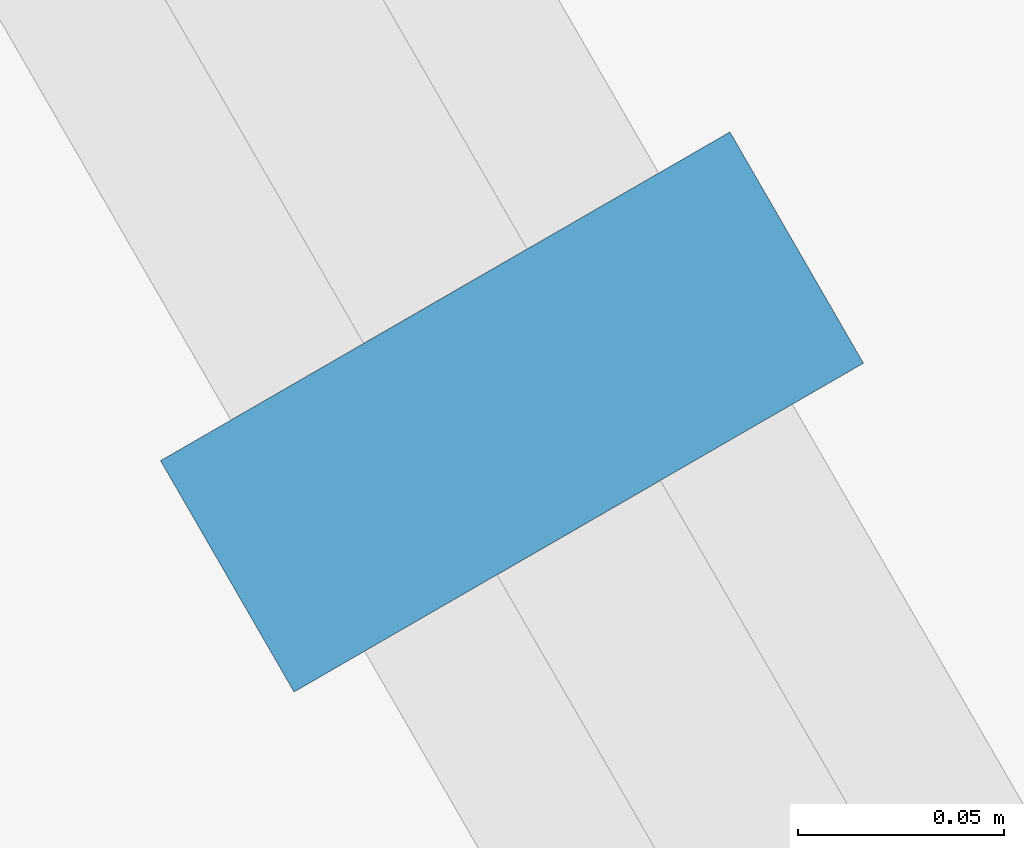
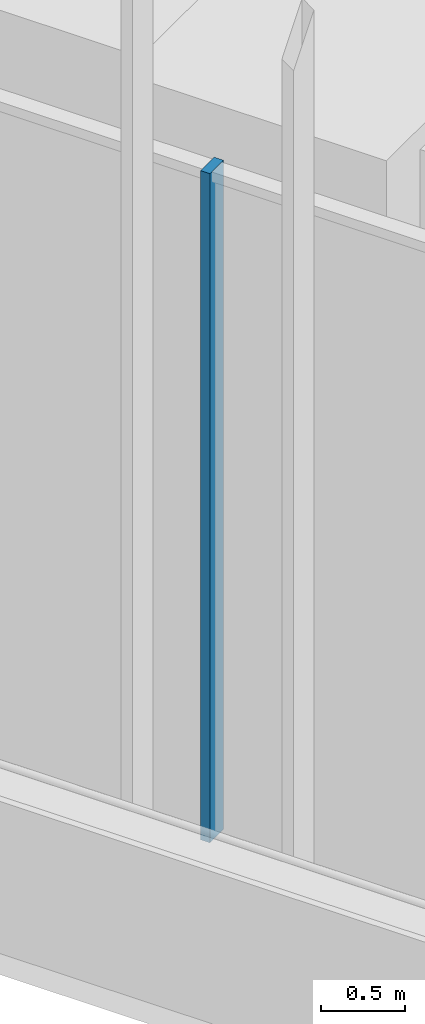
# One storey, part 48 of 228: 1 member, 1 element without a shape of its own.
"""IFC4 building model written with IfcOpenShell, lengths in metres."""

from ifc_helpers import new_model, si_unit, direction, frame, origin, origin_2d, place, context, subcontext, project, spatial, rectangle, extrude, material, material_profile, profile_set, type_object, element, aggregate, save


model = new_model("IFC4")

# Units and contexts
model_context = context("Model", 3, precision=1e-05, world=origin(), true_north=direction((0.0, 1.0)))
body_context = subcontext(model_context, "Body", "Model", "MODEL_VIEW")
ifc_project = project(units=[si_unit("LENGTHUNIT", "METRE"), si_unit("AREAUNIT", "SQUARE_METRE"), si_unit("VOLUMEUNIT", "CUBIC_METRE"), si_unit("PLANEANGLEUNIT", "RADIAN"), si_unit("MASSUNIT", "GRAM", prefix="KILO")], contexts=[model_context])

# Site, building, storey
site_placement = place(None, origin())
site = spatial("IfcSite", under=ifc_project, at=site_placement, CompositionType="ELEMENT")
building_placement = place(site_placement, origin())
building = spatial("IfcBuilding", under=site, at=building_placement, Name="Sandreach Pilgrim Tower", CompositionType="ELEMENT")
storey_placement = place(building_placement, frame((0.0, 0.0, 178.199951171875)))
storey = spatial("IfcBuildingStorey", under=building, at=storey_placement, Name="L44", CompositionType="ELEMENT", Elevation=178.199951171875)

# Curtain wall, member
ifc_material_1 = material(Name="Aluminium framed curtain wall", Category="aluminium")
curtain_wall_type = type_object("IfcCurtainWallType", Name="Upper hotel tower curtain wall", PredefinedType="NOTDEFINED", material=ifc_material_1)
curtain_wall_placement = place(storey_placement, origin())
curtain_wall = element("IfcCurtainWall", 1, at=curtain_wall_placement, inside=storey, type_object=curtain_wall_type, Name="CW-3 L44 SW", PredefinedType="NOTDEFINED")
ifc_material_2 = material(Name="Aluminium extrusion", Category="aluminium")
ifc_material_profile = material_profile(ifc_material_2, rectangle(XDim=0.06494140625, YDim=0.159912109375, at=origin_2d()), Name="CW-3M 65X160")
ifc_profile_set = profile_set([ifc_material_profile], Name="Aluminium extrusion")
member_type = type_object("IfcMemberType", Name="CW-3 mullion", PredefinedType="MULLION", material=ifc_profile_set)
member_placement = place(storey_placement, frame((-19.291259765625, -8.90673828125, 0.0), z_axis=(0.0, 0.0, 1.0), x_axis=(-0.5, 0.866025403784, 0.0)))
member = element("IfcMember", 2, at=member_placement, type_object=member_type, Name="CW-3 mullion 6", PredefinedType="MULLION", context=body_context, shape_type="SweptSolid", body=[
    extrude(rectangle(XDim=0.06494140625, YDim=0.159912109375, at=origin_2d()), origin(), (0.0, 0.0, 1.0), 4.840087890625),
])
aggregate(curtain_wall, [member])

save(model, "model.ifc")
